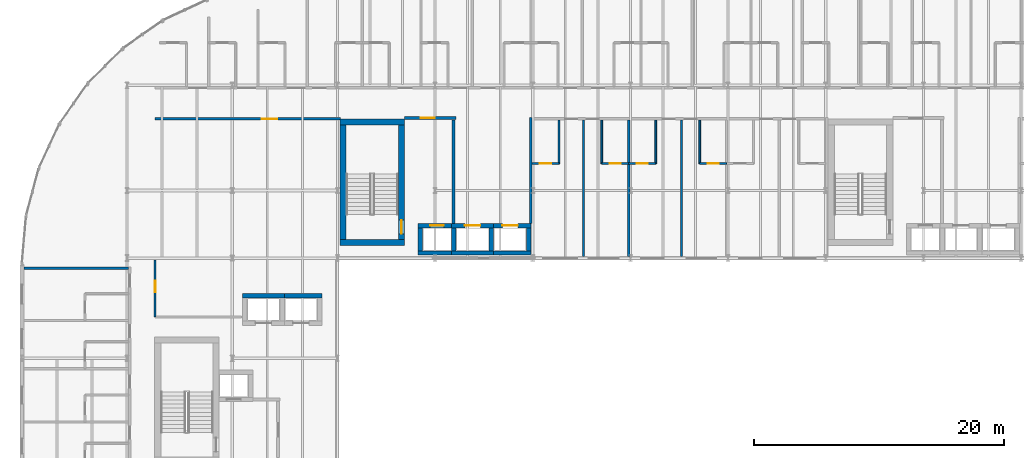
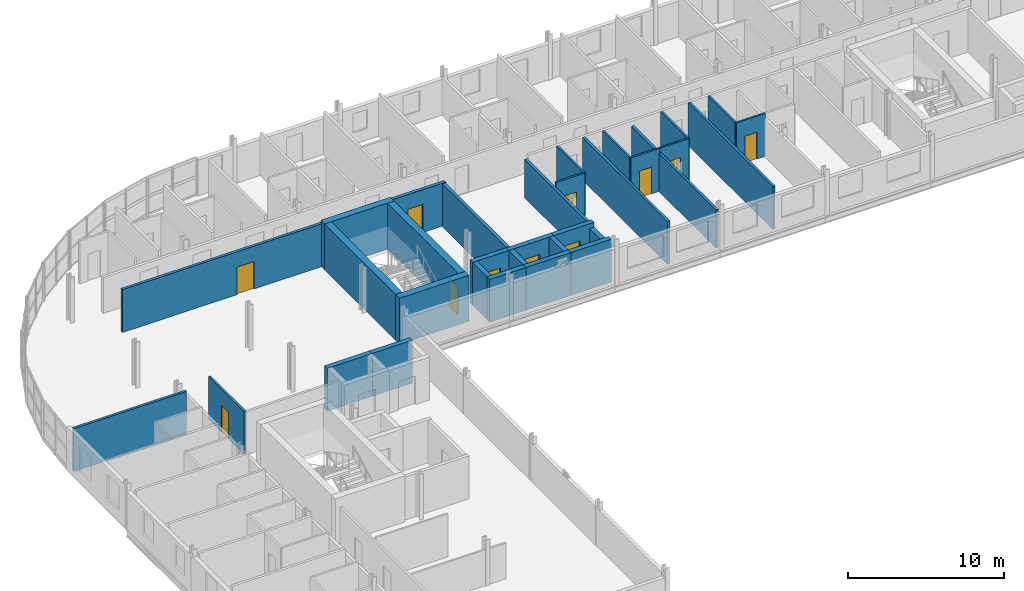
# One storey, part 22 of 36: 33 walls, 11 doors, 11 openings.
"""IFC4 building model written with IfcOpenShell, lengths in metres."""

from ifc_helpers import new_model, si_unit, direction, frame, frame_2d, origin, place, context, subcontext, project, spatial, rectangle, extrude, material, layer, layer_set, type_object, element, fill, save


model = new_model("IFC4")

# Units and contexts
model_context = context("Model", 3, precision=1e-05, world=origin(), true_north=direction((0.0, 1.0)))
body_context = subcontext(model_context, "Body", "Model", "MODEL_VIEW")
ifc_project = project(units=[si_unit("LENGTHUNIT", "METRE"), si_unit("AREAUNIT", "SQUARE_METRE"), si_unit("VOLUMEUNIT", "CUBIC_METRE"), si_unit("PLANEANGLEUNIT", "RADIAN"), si_unit("MASSUNIT", "GRAM", prefix="KILO")], contexts=[model_context])

# Site, building, storey
site_placement = place(None, origin())
site = spatial("IfcSite", under=ifc_project, at=site_placement, CompositionType="ELEMENT")
building_placement = place(site_placement, origin())
building = spatial("IfcBuilding", under=site, at=building_placement, Name="Sefraquen Railside Congress Hotel", CompositionType="ELEMENT")
storey_placement = place(building_placement, frame((0.0, 0.0, 28.199951171875)))
storey = spatial("IfcBuildingStorey", under=building, at=storey_placement, Name="L06", CompositionType="ELEMENT", Elevation=28.199951171875)

# Wall, opening, door
ifc_material_1 = material(Name="Concrete C50/60", Category="concrete")
ifc_layer_1 = layer(ifc_material_1, 0.35009765625)
ifc_layer_set_1 = layer_set([ifc_layer_1], Name="Concrete C50/60")
wall_type_1 = type_object("IfcWallType", Name="TW-CW-350", PredefinedType="SHEAR", material=ifc_layer_set_1)
wall_1_placement = place(storey_placement, frame((31.639892578125, 98.594970703125, 0.0), z_axis=(0.0, 0.0, 1.0), x_axis=(1.0, 0.0, 0.0)))
wall_1 = element("IfcWall", 1, at=wall_1_placement, inside=storey, type_object=wall_type_1, Name="Lift FL-02 shaft wall N L06", PredefinedType="SHEAR", context=body_context, shape_type="SweptSolid", body=[
    extrude(rectangle(XDim=2.690185546875, YDim=0.35009765625, at=frame_2d((1.34521484375, 0.0))), origin(), (0.0, 0.0, 1.0), 3.360107421875),
])
opening_1_placement = place(wall_1_placement, frame((0.969970703125, 0.0, 0.0)))
opening_1 = element("IfcOpeningElement", 2, at=opening_1_placement, cuts=wall_1, Name="Opening LD-01", PredefinedType="OPENING", context=body_context, shape_type="SweptSolid", body=[
    extrude(rectangle(XDim=1.10009765625, YDim=2.199951171875, at=frame_2d((0.550048828125, 1.10009765625))), frame((0.0, 0.18505859375, 0.0), z_axis=(0.0, -1.0, 0.0), x_axis=(1.0, 0.0, 0.0)), (0.0, 0.0, 1.0), 0.3701171875),
])
ifc_material_2 = material(Name="Brushed bronze stainless steel", Category="steel")
door_type_1 = type_object("IfcDoorType", Name="TD-LD-01", OperationType="NOTDEFINED", PredefinedType="DOOR", material=ifc_material_2)
door_1_placement = place(opening_1_placement, origin())
door_1 = element("IfcDoor", 3, at=door_1_placement, inside=storey, type_object=door_type_1, Name="Lift landing door FL-02 L06", OperationType="SLIDING_TO_LEFT", OverallHeight=2.199951171875, OverallWidth=1.10009765625, PredefinedType="DOOR", context=body_context, shape_type="SweptSolid", body=[
    extrude(rectangle(XDim=1.10009765625, YDim=2.199951171875, at=frame_2d((0.550048828125, 1.10009765625))), frame((0.0, 0.02490234375, 0.0), z_axis=(0.0, -1.0, 0.0), x_axis=(1.0, 0.0, 0.0)), (0.0, 0.0, 1.0), 0.050048828125),
])
fill(opening_1, door_1)

# Walls
wall_2_placement = place(storey_placement, frame((31.639892578125, 96.405029296875, 0.0), z_axis=(0.0, 0.0, 1.0), x_axis=(1.0, 0.0, 0.0)))
element("IfcWall", 4, at=wall_2_placement, inside=storey, type_object=wall_type_1, Name="Lift FL-02 shaft wall S L06", PredefinedType="SHEAR", context=body_context, shape_type="SweptSolid", body=[
    extrude(rectangle(XDim=2.690185546875, YDim=0.35009765625, at=frame_2d((1.34521484375, 0.0))), origin(), (0.0, 0.0, 1.0), 3.360107421875),
])
wall_3_placement = place(storey_placement, frame((31.81494140625, 96.580078125, 0.0), z_axis=(0.0, 0.0, 1.0), x_axis=(0.0, 1.0, 0.0)))
element("IfcWall", 5, at=wall_3_placement, inside=storey, type_object=wall_type_1, Name="Lift FL-02 shaft wall W L06", PredefinedType="SHEAR", context=body_context, shape_type="SweptSolid", body=[
    extrude(rectangle(XDim=1.83984375, YDim=0.35009765625, at=frame_2d((0.919921875, 0.0))), origin(), (0.0, 0.0, 1.0), 3.360107421875),
])
wall_4_placement = place(storey_placement, frame((17.6298828125, 92.9951171875, 0.0), z_axis=(0.0, 0.0, 1.0), x_axis=(1.0, 0.0, 0.0)))
element("IfcWall", 6, at=wall_4_placement, inside=storey, type_object=wall_type_1, Name="Lift PL-01 shaft wall N L06", PredefinedType="SHEAR", context=body_context, shape_type="SweptSolid", body=[
    extrude(rectangle(XDim=3.340087890625, YDim=0.35009765625, at=frame_2d((1.669921875, 0.0))), origin(), (0.0, 0.0, 1.0), 3.360107421875),
])
wall_5_placement = place(storey_placement, frame((20.969970703125, 92.9951171875, 0.0), z_axis=(0.0, 0.0, 1.0), x_axis=(1.0, 0.0, 0.0)))
element("IfcWall", 7, at=wall_5_placement, inside=storey, type_object=wall_type_1, Name="Lift PL-02 shaft wall N L06", PredefinedType="SHEAR", context=body_context, shape_type="SweptSolid", body=[
    extrude(rectangle(XDim=2.989990234375, YDim=0.35009765625, at=frame_2d((1.4951171875, 0.0))), origin(), (0.0, 0.0, 1.0), 3.360107421875),
])

# Wall, opening, door
wall_6_placement = place(storey_placement, frame((34.330078125, 98.594970703125, 0.0), z_axis=(0.0, 0.0, 1.0), x_axis=(1.0, 0.0, 0.0)))
wall_6 = element("IfcWall", 8, at=wall_6_placement, inside=storey, type_object=wall_type_1, Name="Lift PL-03 shaft wall N L06", PredefinedType="SHEAR", context=body_context, shape_type="SweptSolid", body=[
    extrude(rectangle(XDim=3.33984375, YDim=0.35009765625, at=frame_2d((1.669921875, 0.0))), origin(), (0.0, 0.0, 1.0), 3.360107421875),
])
opening_2_placement = place(wall_6_placement, frame((1.044921875, 0.0, 0.0)))
opening_2 = element("IfcOpeningElement", 9, at=opening_2_placement, cuts=wall_6, Name="Opening LD-02", PredefinedType="OPENING", context=body_context, shape_type="SweptSolid", body=[
    extrude(rectangle(XDim=1.25, YDim=2.25, at=frame_2d((0.625, 1.125))), frame((0.0, 0.18505859375, 0.0), z_axis=(0.0, -1.0, 0.0), x_axis=(1.0, 0.0, 0.0)), (0.0, 0.0, 1.0), 0.3701171875),
])
ifc_material_3 = material(Name="Brushed stainless steel", Category="steel")
door_type_2 = type_object("IfcDoorType", Name="TD-LD-02", OperationType="NOTDEFINED", PredefinedType="DOOR", material=ifc_material_3)
door_2_placement = place(opening_2_placement, origin())
door_2 = element("IfcDoor", 10, at=door_2_placement, inside=storey, type_object=door_type_2, Name="Lift landing door PL-03 L06", OperationType="SLIDING_TO_LEFT", OverallHeight=2.25, OverallWidth=1.25, PredefinedType="DOOR", context=body_context, shape_type="SweptSolid", body=[
    extrude(rectangle(XDim=1.25, YDim=2.25, at=frame_2d((0.625, 1.125))), frame((0.0, 0.02490234375, 0.0), z_axis=(0.0, -1.0, 0.0), x_axis=(1.0, 0.0, 0.0)), (0.0, 0.0, 1.0), 0.050048828125),
])
fill(opening_2, door_2)

# Walls
wall_7_placement = place(storey_placement, frame((34.330078125, 96.405029296875, 0.0), z_axis=(0.0, 0.0, 1.0), x_axis=(1.0, 0.0, 0.0)))
element("IfcWall", 11, at=wall_7_placement, inside=storey, type_object=wall_type_1, Name="Lift PL-03 shaft wall S L06", PredefinedType="SHEAR", context=body_context, shape_type="SweptSolid", body=[
    extrude(rectangle(XDim=3.33984375, YDim=0.35009765625, at=frame_2d((1.669921875, 0.0))), origin(), (0.0, 0.0, 1.0), 3.360107421875),
])
for number, where, z_axis, x_axis, name in (
    (12, (34.5048828125, 96.580078125, 0.0), (0.0, 0.0, 1.0), (0.0, 1.0, 0.0), "Lift PL-03 shaft wall W L06"),
    (13, (37.4951171875, 96.580078125, 0.0), (0.0, 0.0, 1.0), (0.0, 1.0, 0.0), "Lift PL-03 shaft wall E L06"),
):
    element("IfcWall", number, at=place(storey_placement, frame(where, z_axis=z_axis, x_axis=x_axis)), inside=storey, type_object=wall_type_1, Name=name, PredefinedType="SHEAR", context=body_context, shape_type="SweptSolid", body=[
        extrude(rectangle(XDim=1.83984375, YDim=0.35009765625, at=frame_2d((0.919921875, 0.0))), origin(), (0.0, 0.0, 1.0), 3.360107421875),
    ])

# Wall, opening, door
wall_8_placement = place(storey_placement, frame((37.669921875, 98.594970703125, 0.0), z_axis=(0.0, 0.0, 1.0), x_axis=(1.0, 0.0, 0.0)))
wall_8 = element("IfcWall", 14, at=wall_8_placement, inside=storey, type_object=wall_type_1, Name="Lift PL-04 shaft wall N L06", PredefinedType="SHEAR", context=body_context, shape_type="SweptSolid", body=[
    extrude(rectangle(XDim=2.989990234375, YDim=0.35009765625, at=frame_2d((1.4951171875, 0.0))), origin(), (0.0, 0.0, 1.0), 3.360107421875),
])
opening_3_placement = place(wall_8_placement, frame((0.695068359375, 0.0, 0.0)))
opening_3 = element("IfcOpeningElement", 15, at=opening_3_placement, cuts=wall_8, Name="Opening LD-02", PredefinedType="OPENING", context=body_context, shape_type="SweptSolid", body=[
    extrude(rectangle(XDim=1.25, YDim=2.25, at=frame_2d((0.625, 1.125))), frame((0.0, 0.18505859375, 0.0), z_axis=(0.0, -1.0, 0.0), x_axis=(1.0, 0.0, 0.0)), (0.0, 0.0, 1.0), 0.3701171875),
])
door_3_placement = place(opening_3_placement, origin())
door_3 = element("IfcDoor", 16, at=door_3_placement, inside=storey, type_object=door_type_2, Name="Lift landing door PL-04 L06", OperationType="SLIDING_TO_LEFT", OverallHeight=2.25, OverallWidth=1.25, PredefinedType="DOOR", context=body_context, shape_type="SweptSolid", body=[
    extrude(rectangle(XDim=1.25, YDim=2.25, at=frame_2d((0.625, 1.125))), frame((0.0, 0.02490234375, 0.0), z_axis=(0.0, -1.0, 0.0), x_axis=(1.0, 0.0, 0.0)), (0.0, 0.0, 1.0), 0.050048828125),
])
fill(opening_3, door_3)

# Walls
wall_9_placement = place(storey_placement, frame((37.669921875, 96.405029296875, 0.0), z_axis=(0.0, 0.0, 1.0), x_axis=(1.0, 0.0, 0.0)))
element("IfcWall", 17, at=wall_9_placement, inside=storey, type_object=wall_type_1, Name="Lift PL-04 shaft wall S L06", PredefinedType="SHEAR", context=body_context, shape_type="SweptSolid", body=[
    extrude(rectangle(XDim=2.989990234375, YDim=0.35009765625, at=frame_2d((1.4951171875, 0.0))), origin(), (0.0, 0.0, 1.0), 3.360107421875),
])
wall_10_placement = place(storey_placement, frame((40.485107421875, 96.580078125, 0.0), z_axis=(0.0, 0.0, 1.0), x_axis=(0.0, 1.0, 0.0)))
element("IfcWall", 18, at=wall_10_placement, inside=storey, type_object=wall_type_1, Name="Lift PL-04 shaft wall E L06", PredefinedType="SHEAR", context=body_context, shape_type="SweptSolid", body=[
    extrude(rectangle(XDim=1.83984375, YDim=0.35009765625, at=frame_2d((0.919921875, 0.0))), origin(), (0.0, 0.0, 1.0), 2.989990234375),
])
ifc_layer_2 = layer(ifc_material_1, 0.5)
ifc_layer_set_2 = layer_set([ifc_layer_2], Name="Concrete C50/60")
wall_type_2 = type_object("IfcWallType", Name="TW-CW-500", PredefinedType="SHEAR", material=ifc_layer_set_2)
for number, where, z_axis, x_axis, name in (
    (19, (25.39990234375, 106.862060546875, 0.0), (0.0, 0.0, 1.0), (1.0, 0.0, 0.0), "Core shear wall ST-H02 N L06"),
    (20, (25.39990234375, 97.25, 0.0), (0.0, 0.0, 1.0), (1.0, 0.0, 0.0), "Core shear wall ST-H02 S L06"),
):
    element("IfcWall", number, at=place(storey_placement, frame(where, z_axis=z_axis, x_axis=x_axis)), inside=storey, type_object=wall_type_2, Name=name, PredefinedType="SHEAR", context=body_context, shape_type="SweptSolid", body=[
        extrude(rectangle(XDim=5.16015625, YDim=0.5, at=frame_2d((2.580078125, 0.0))), origin(), (0.0, 0.0, 1.0), 3.60009765625),
    ])
wall_11_placement = place(storey_placement, frame((25.64990234375, 97.5, 0.0), z_axis=(0.0, 0.0, 1.0), x_axis=(0.0, 1.0, 0.0)))
element("IfcWall", 21, at=wall_11_placement, inside=storey, type_object=wall_type_2, Name="Core shear wall ST-H02 W L06", PredefinedType="SHEAR", context=body_context, shape_type="SweptSolid", body=[
    extrude(rectangle(XDim=9.112060546875, YDim=0.5, at=frame_2d((4.55615234375, 0.0))), origin(), (0.0, 0.0, 1.0), 3.60009765625),
])

# Wall, opening, door
wall_12_placement = place(storey_placement, frame((30.31005859375, 97.5, 0.0), z_axis=(0.0, 0.0, 1.0), x_axis=(0.0, 1.0, 0.0)))
wall_12 = element("IfcWall", 22, at=wall_12_placement, inside=storey, type_object=wall_type_2, Name="Core shear wall ST-H02 E L06", PredefinedType="SHEAR", context=body_context, shape_type="SweptSolid", body=[
    extrude(rectangle(XDim=9.112060546875, YDim=0.5, at=frame_2d((4.55615234375, 0.0))), origin(), (0.0, 0.0, 1.0), 3.60009765625),
])
opening_4_placement = place(wall_12_placement, frame((0.43994140625, 0.0, 0.0)))
opening_4 = element("IfcOpeningElement", 23, at=opening_4_placement, cuts=wall_12, Name="Opening FD-04", PredefinedType="OPENING", context=body_context, shape_type="SweptSolid", body=[
    extrude(rectangle(XDim=1.10009765625, YDim=2.199951171875, at=frame_2d((0.550048828125, 1.10009765625))), frame((0.0, 0.260009765625, 0.0), z_axis=(0.0, -1.0, 0.0), x_axis=(1.0, 0.0, 0.0)), (0.0, 0.0, 1.0), 0.52001953125),
])
ifc_material_4 = material(Name="Fire-rated steel", Category="steel")
door_type_3 = type_object("IfcDoorType", Name="TD-FD-04", OperationType="NOTDEFINED", PredefinedType="DOOR", material=ifc_material_4)
door_4_placement = place(opening_4_placement, origin())
door_4 = element("IfcDoor", 24, at=door_4_placement, inside=storey, type_object=door_type_3, Name="Pressurized stair ST-H02 fire door L06", OperationType="SINGLE_SWING_RIGHT", OverallHeight=2.199951171875, OverallWidth=1.10009765625, PredefinedType="DOOR", context=body_context, shape_type="SweptSolid", body=[
    extrude(rectangle(XDim=1.10009765625, YDim=2.199951171875, at=frame_2d((0.550048828125, 1.10009765625))), frame((0.0, 0.02490234375, 0.0), z_axis=(0.0, -1.0, 0.0), x_axis=(1.0, 0.0, 0.0)), (0.0, 0.0, 1.0), 0.050048828125),
])
fill(opening_4, door_4)

# Wall
ifc_material_5 = material(Name="Concrete C40/50", Category="concrete")
ifc_layer_3 = layer(ifc_material_5, 0.239990234375)
ifc_layer_set_3 = layer_set([ifc_layer_3], Name="Concrete C40/50")
wall_type_3 = type_object("IfcWallType", Name="TW-FW-240", PredefinedType="STANDARD", material=ifc_layer_set_3)
wall_13_placement = place(storey_placement, frame((34.47998046875, 98.780029296875, 0.0), z_axis=(0.0, 0.0, 1.0), x_axis=(0.0, 1.0, 0.0)))
element("IfcWall", 25, at=wall_13_placement, inside=storey, type_object=wall_type_3, Name="Firefighting Lift Lobby FFL-02 east fire wall L06", PredefinedType="STANDARD", context=body_context, shape_type="SweptSolid", body=[
    extrude(rectangle(XDim=8.239990234375, YDim=0.239990234375, at=frame_2d((4.1201171875, 0.0))), origin(), (0.0, 0.0, 1.0), 3.360107421875),
])

# Wall, opening, door
wall_14_placement = place(storey_placement, frame((30.56005859375, 107.199951171875, 0.0), z_axis=(0.0, 0.0, 1.0), x_axis=(1.0, 0.0, 0.0)))
wall_14 = element("IfcWall", 26, at=wall_14_placement, inside=storey, type_object=wall_type_3, Name="Firefighting Lift Lobby FFL-02 EI 120 separation wall L06", PredefinedType="STANDARD", context=body_context, shape_type="SweptSolid", body=[
    extrude(rectangle(XDim=4.099853515625, YDim=0.239990234375, at=frame_2d((2.0498046875, 0.0))), origin(), (0.0, 0.0, 1.0), 3.360107421875),
])
opening_5_placement = place(wall_14_placement, frame((1.300048828125, 0.0, 0.0)))
opening_5 = element("IfcOpeningElement", 27, at=opening_5_placement, cuts=wall_14, Name="Opening FD-04", PredefinedType="OPENING", context=body_context, shape_type="SweptSolid", body=[
    extrude(rectangle(XDim=1.10009765625, YDim=2.199951171875, at=frame_2d((0.550048828125, 1.10009765625))), frame((0.0, 0.1298828125, 0.0), z_axis=(0.0, -1.0, 0.0), x_axis=(1.0, 0.0, 0.0)), (0.0, 0.0, 1.0), 0.260009765625),
])
door_5_placement = place(opening_5_placement, origin())
door_5 = element("IfcDoor", 28, at=door_5_placement, inside=storey, type_object=door_type_3, Name="Firefighting Lift Lobby FFL-02 self-closing fire door L06", OperationType="SINGLE_SWING_RIGHT", OverallHeight=2.199951171875, OverallWidth=1.10009765625, PredefinedType="DOOR", context=body_context, shape_type="SweptSolid", body=[
    extrude(rectangle(XDim=1.10009765625, YDim=2.199951171875, at=frame_2d((0.550048828125, 1.10009765625))), frame((0.0, 0.02490234375, 0.0), z_axis=(0.0, -1.0, 0.0), x_axis=(1.0, 0.0, 0.0)), (0.0, 0.0, 1.0), 0.050048828125),
])
fill(opening_5, door_5)

# Wall
ifc_material_6 = material(Name="Moisture-resistant gypsum board", Category="gypsum")
ifc_layer_4 = layer(ifc_material_6, 0.139892578125)
ifc_layer_set_4 = layer_set([ifc_layer_4], Name="Moisture-resistant gypsum board")
wall_type_4 = type_object("IfcWallType", Name="TW-PW-140", PredefinedType="PARTITIONING", material=ifc_layer_set_4)
wall_15_placement = place(storey_placement, frame((42.89990234375, 103.550048828125, 0.0), z_axis=(0.0, 0.0, 1.0), x_axis=(0.0, 1.0, 0.0)))
element("IfcWall", 29, at=wall_15_placement, inside=storey, type_object=wall_type_4, Name="En-suite bathroom east wall RM-023", PredefinedType="PARTITIONING", context=body_context, shape_type="SweptSolid", body=[
    extrude(rectangle(XDim=3.469970703125, YDim=0.139892578125, at=frame_2d((1.73486328125, 0.0))), origin(), (0.0, 0.0, 1.0), 3.360107421875),
])

# Wall, opening, door
wall_16_placement = place(storey_placement, frame((40.75, 103.550048828125, 0.0), z_axis=(0.0, 0.0, 1.0), x_axis=(1.0, 0.0, 0.0)))
wall_16 = element("IfcWall", 30, at=wall_16_placement, inside=storey, type_object=wall_type_4, Name="En-suite bathroom south wall RM-023", PredefinedType="PARTITIONING", context=body_context, shape_type="SweptSolid", body=[
    extrude(rectangle(XDim=2.14990234375, YDim=0.139892578125, at=frame_2d((1.074951171875, 0.0))), origin(), (0.0, 0.0, 1.0), 3.360107421875),
])
opening_6_placement = place(wall_16_placement, frame((0.625, 0.0, 0.0)))
opening_6 = element("IfcOpeningElement", 31, at=opening_6_placement, cuts=wall_16, Name="Opening ID-02", PredefinedType="OPENING", context=body_context, shape_type="SweptSolid", body=[
    extrude(rectangle(XDim=0.89990234375, YDim=2.10009765625, at=frame_2d((0.449951171875, 1.050048828125))), frame((0.0, 0.079833984375, 0.0), z_axis=(0.0, -1.0, 0.0), x_axis=(1.0, 0.0, 0.0)), (0.0, 0.0, 1.0), 0.159912109375),
])
ifc_material_7 = material(Name="Lacquered cedar joinery", Category="wood")
door_type_4 = type_object("IfcDoorType", Name="TD-ID-02", OperationType="NOTDEFINED", PredefinedType="DOOR", material=ifc_material_7)
door_6_placement = place(opening_6_placement, frame((0.89990234375, 0.0, 0.0), z_axis=(0.0, 0.0, 1.0), x_axis=(-1.0, 0.0, 0.0)))
door_6 = element("IfcDoor", 32, at=door_6_placement, inside=storey, type_object=door_type_4, Name="En-suite bathroom door RM-023", OperationType="SINGLE_SWING_LEFT", OverallHeight=2.10009765625, OverallWidth=0.89990234375, PredefinedType="DOOR", context=body_context, shape_type="SweptSolid", body=[
    extrude(rectangle(XDim=0.89990234375, YDim=2.10009765625, at=frame_2d((0.449951171875, 1.050048828125))), frame((0.0, 0.02490234375, 0.0), z_axis=(0.0, -1.0, 0.0), x_axis=(1.0, 0.0, 0.0)), (0.0, 0.0, 1.0), 0.050048828125),
])
fill(opening_6, door_6)

# Wall
wall_17_placement = place(storey_placement, frame((46.31689453125, 103.550048828125, 0.0), z_axis=(0.0, 0.0, 1.0), x_axis=(0.0, 1.0, 0.0)))
element("IfcWall", 33, at=wall_17_placement, inside=storey, type_object=wall_type_4, Name="En-suite bathroom west wall RM-024", PredefinedType="PARTITIONING", context=body_context, shape_type="SweptSolid", body=[
    extrude(rectangle(XDim=3.469970703125, YDim=0.139892578125, at=frame_2d((1.73486328125, 0.0))), origin(), (0.0, 0.0, 1.0), 3.360107421875),
])

# Wall, opening, door
wall_18_placement = place(storey_placement, frame((46.31689453125, 103.550048828125, 0.0), z_axis=(0.0, 0.0, 1.0), x_axis=(1.0, 0.0, 0.0)))
wall_18 = element("IfcWall", 34, at=wall_18_placement, inside=storey, type_object=wall_type_4, Name="En-suite bathroom south wall RM-024", PredefinedType="PARTITIONING", context=body_context, shape_type="SweptSolid", body=[
    extrude(rectangle(XDim=2.150146484375, YDim=0.139892578125, at=frame_2d((1.0751953125, 0.0))), origin(), (0.0, 0.0, 1.0), 3.360107421875),
])
opening_7_placement = place(wall_18_placement, frame((0.625, 0.0, 0.0)))
opening_7 = element("IfcOpeningElement", 35, at=opening_7_placement, cuts=wall_18, Name="Opening ID-02", PredefinedType="OPENING", context=body_context, shape_type="SweptSolid", body=[
    extrude(rectangle(XDim=0.89990234375, YDim=2.10009765625, at=frame_2d((0.449951171875, 1.050048828125))), frame((0.0, 0.079833984375, 0.0), z_axis=(0.0, -1.0, 0.0), x_axis=(1.0, 0.0, 0.0)), (0.0, 0.0, 1.0), 0.159912109375),
])
door_7_placement = place(opening_7_placement, frame((0.89990234375, 0.0, 0.0), z_axis=(0.0, 0.0, 1.0), x_axis=(-1.0, 0.0, 0.0)))
door_7 = element("IfcDoor", 36, at=door_7_placement, inside=storey, type_object=door_type_4, Name="En-suite bathroom door RM-024", OperationType="SINGLE_SWING_LEFT", OverallHeight=2.10009765625, OverallWidth=0.89990234375, PredefinedType="DOOR", context=body_context, shape_type="SweptSolid", body=[
    extrude(rectangle(XDim=0.89990234375, YDim=2.10009765625, at=frame_2d((0.449951171875, 1.050048828125))), frame((0.0, 0.02490234375, 0.0), z_axis=(0.0, -1.0, 0.0), x_axis=(1.0, 0.0, 0.0)), (0.0, 0.0, 1.0), 0.050048828125),
])
fill(opening_7, door_7)

# Wall
wall_19_placement = place(storey_placement, frame((50.616943359375, 103.550048828125, 0.0), z_axis=(0.0, 0.0, 1.0), x_axis=(0.0, 1.0, 0.0)))
element("IfcWall", 37, at=wall_19_placement, inside=storey, type_object=wall_type_4, Name="En-suite bathroom east wall RM-025", PredefinedType="PARTITIONING", context=body_context, shape_type="SweptSolid", body=[
    extrude(rectangle(XDim=3.469970703125, YDim=0.139892578125, at=frame_2d((1.73486328125, 0.0))), origin(), (0.0, 0.0, 1.0), 3.360107421875),
])

# Wall, opening, door
wall_20_placement = place(storey_placement, frame((48.467041015625, 103.550048828125, 0.0), z_axis=(0.0, 0.0, 1.0), x_axis=(1.0, 0.0, 0.0)))
wall_20 = element("IfcWall", 38, at=wall_20_placement, inside=storey, type_object=wall_type_4, Name="En-suite bathroom south wall RM-025", PredefinedType="PARTITIONING", context=body_context, shape_type="SweptSolid", body=[
    extrude(rectangle(XDim=2.14990234375, YDim=0.139892578125, at=frame_2d((1.074951171875, 0.0))), origin(), (0.0, 0.0, 1.0), 3.360107421875),
])
opening_8_placement = place(wall_20_placement, frame((0.625, 0.0, 0.0)))
opening_8 = element("IfcOpeningElement", 39, at=opening_8_placement, cuts=wall_20, Name="Opening ID-02", PredefinedType="OPENING", context=body_context, shape_type="SweptSolid", body=[
    extrude(rectangle(XDim=0.89990234375, YDim=2.10009765625, at=frame_2d((0.449951171875, 1.050048828125))), frame((0.0, 0.079833984375, 0.0), z_axis=(0.0, -1.0, 0.0), x_axis=(1.0, 0.0, 0.0)), (0.0, 0.0, 1.0), 0.159912109375),
])
door_8_placement = place(opening_8_placement, frame((0.89990234375, 0.0, 0.0), z_axis=(0.0, 0.0, 1.0), x_axis=(-1.0, 0.0, 0.0)))
door_8 = element("IfcDoor", 40, at=door_8_placement, inside=storey, type_object=door_type_4, Name="En-suite bathroom door RM-025", OperationType="SINGLE_SWING_LEFT", OverallHeight=2.10009765625, OverallWidth=0.89990234375, PredefinedType="DOOR", context=body_context, shape_type="SweptSolid", body=[
    extrude(rectangle(XDim=0.89990234375, YDim=2.10009765625, at=frame_2d((0.449951171875, 1.050048828125))), frame((0.0, 0.02490234375, 0.0), z_axis=(0.0, -1.0, 0.0), x_axis=(1.0, 0.0, 0.0)), (0.0, 0.0, 1.0), 0.050048828125),
])
fill(opening_8, door_8)

# Wall
wall_21_placement = place(storey_placement, frame((54.133056640625, 103.550048828125, 0.0), z_axis=(0.0, 0.0, 1.0), x_axis=(0.0, 1.0, 0.0)))
element("IfcWall", 41, at=wall_21_placement, inside=storey, type_object=wall_type_4, Name="En-suite bathroom west wall RM-026", PredefinedType="PARTITIONING", context=body_context, shape_type="SweptSolid", body=[
    extrude(rectangle(XDim=3.469970703125, YDim=0.139892578125, at=frame_2d((1.73486328125, 0.0))), origin(), (0.0, 0.0, 1.0), 3.360107421875),
])

# Wall, opening, door
wall_22_placement = place(storey_placement, frame((54.133056640625, 103.550048828125, 0.0), z_axis=(0.0, 0.0, 1.0), x_axis=(1.0, 0.0, 0.0)))
wall_22 = element("IfcWall", 42, at=wall_22_placement, inside=storey, type_object=wall_type_4, Name="En-suite bathroom south wall RM-026", PredefinedType="PARTITIONING", context=body_context, shape_type="SweptSolid", body=[
    extrude(rectangle(XDim=2.14990234375, YDim=0.139892578125, at=frame_2d((1.074951171875, 0.0))), origin(), (0.0, 0.0, 1.0), 3.360107421875),
])
opening_9_placement = place(wall_22_placement, frame((0.625, 0.0, 0.0)))
opening_9 = element("IfcOpeningElement", 43, at=opening_9_placement, cuts=wall_22, Name="Opening ID-02", PredefinedType="OPENING", context=body_context, shape_type="SweptSolid", body=[
    extrude(rectangle(XDim=0.89990234375, YDim=2.10009765625, at=frame_2d((0.449951171875, 1.050048828125))), frame((0.0, 0.079833984375, 0.0), z_axis=(0.0, -1.0, 0.0), x_axis=(1.0, 0.0, 0.0)), (0.0, 0.0, 1.0), 0.159912109375),
])
door_9_placement = place(opening_9_placement, frame((0.89990234375, 0.0, 0.0), z_axis=(0.0, 0.0, 1.0), x_axis=(-1.0, 0.0, 0.0)))
door_9 = element("IfcDoor", 44, at=door_9_placement, inside=storey, type_object=door_type_4, Name="En-suite bathroom door RM-026", OperationType="SINGLE_SWING_LEFT", OverallHeight=2.10009765625, OverallWidth=0.89990234375, PredefinedType="DOOR", context=body_context, shape_type="SweptSolid", body=[
    extrude(rectangle(XDim=0.89990234375, YDim=2.10009765625, at=frame_2d((0.449951171875, 1.050048828125))), frame((0.0, 0.02490234375, 0.0), z_axis=(0.0, -1.0, 0.0), x_axis=(1.0, 0.0, 0.0)), (0.0, 0.0, 1.0), 0.050048828125),
])
fill(opening_9, door_9)

ifc_layer_5 = layer(ifc_material_6, 0.159912109375)
ifc_layer_set_5 = layer_set([ifc_layer_5], Name="Moisture-resistant gypsum board")
wall_type_5 = type_object("IfcWallType", Name="TW-PW-160", PredefinedType="PARTITIONING", material=ifc_layer_set_5)
wall_23_placement = place(storey_placement, frame((10.64990234375, 91.280029296875, 0.0), z_axis=(0.0, 0.0, 1.0), x_axis=(0.0, 1.0, 0.0)))
wall_23 = element("IfcWall", 45, at=wall_23_placement, inside=storey, type_object=wall_type_5, Name="Hotel L06 west-return corridor E2 partition", PredefinedType="PARTITIONING", context=body_context, shape_type="SweptSolid", body=[
    extrude(rectangle(XDim=4.580078125, YDim=0.159912109375, at=frame_2d((2.2900390625, 0.0))), origin(), (0.0, 0.0, 1.0), 3.360107421875),
])
opening_10_placement = place(wall_23_placement, frame((2.0, 0.0, 0.0)))
opening_10 = element("IfcOpeningElement", 46, at=opening_10_placement, cuts=wall_23, Name="Opening ID-02", PredefinedType="OPENING", context=body_context, shape_type="SweptSolid", body=[
    extrude(rectangle(XDim=0.89990234375, YDim=2.10009765625, at=frame_2d((0.449951171875, 1.050048828125))), frame((0.0, 0.08984375, 0.0), z_axis=(0.0, -1.0, 0.0), x_axis=(1.0, 0.0, 0.0)), (0.0, 0.0, 1.0), 0.179931640625),
])
door_10_placement = place(opening_10_placement, origin())
door_10 = element("IfcDoor", 47, at=door_10_placement, inside=storey, type_object=door_type_4, Name="Hotel floor Staff WC door L06", OperationType="SINGLE_SWING_RIGHT", OverallHeight=2.10009765625, OverallWidth=0.89990234375, PredefinedType="DOOR", context=body_context, shape_type="SweptSolid", body=[
    extrude(rectangle(XDim=0.89990234375, YDim=2.10009765625, at=frame_2d((0.449951171875, 1.050048828125))), frame((0.0, 0.02490234375, 0.0), z_axis=(0.0, -1.0, 0.0), x_axis=(1.0, 0.0, 0.0)), (0.0, 0.0, 1.0), 0.050048828125),
])
fill(opening_10, door_10)

# Walls
ifc_material_8 = material(Name="Acoustic gypsum board on metal stud", Category="gypsum")
ifc_layer_6 = layer(ifc_material_8, 0.179931640625)
ifc_layer_set_6 = layer_set([ifc_layer_6], Name="Acoustic gypsum board on metal stud")
wall_type_6 = type_object("IfcWallType", Name="TW-PW-180", PredefinedType="PARTITIONING", material=ifc_layer_set_6)
wall_24_placement = place(storey_placement, frame((44.85791015625, 96.139892578125, 0.0), z_axis=(0.0, 0.0, 1.0), x_axis=(0.0, 1.0, 0.0)))
element("IfcWall", 48, at=wall_24_placement, inside=storey, type_object=wall_type_6, Name="South guest room demising wall RM-023", PredefinedType="PARTITIONING", context=body_context, shape_type="SweptSolid", body=[
    extrude(rectangle(XDim=10.880126953125, YDim=0.179931640625, at=frame_2d((5.43994140625, 0.0))), origin(), (0.0, 0.0, 1.0), 3.360107421875),
])
wall_25_placement = place(storey_placement, frame((48.467041015625, 96.139892578125, 0.0), z_axis=(0.0, 0.0, 1.0), x_axis=(0.0, 1.0, 0.0)))
element("IfcWall", 49, at=wall_25_placement, inside=storey, type_object=wall_type_6, Name="South guest room demising wall RM-024", PredefinedType="PARTITIONING", context=body_context, shape_type="SweptSolid", body=[
    extrude(rectangle(XDim=10.880126953125, YDim=0.179931640625, at=frame_2d((5.43994140625, 0.0))), origin(), (0.0, 0.0, 1.0), 2.989990234375),
])
wall_26_placement = place(storey_placement, frame((52.675048828125, 96.139892578125, 0.0), z_axis=(0.0, 0.0, 1.0), x_axis=(0.0, 1.0, 0.0)))
element("IfcWall", 50, at=wall_26_placement, inside=storey, type_object=wall_type_6, Name="South guest room demising wall RM-025", PredefinedType="PARTITIONING", context=body_context, shape_type="SweptSolid", body=[
    extrude(rectangle(XDim=10.880126953125, YDim=0.179931640625, at=frame_2d((5.43994140625, 0.0))), origin(), (0.0, 0.0, 1.0), 3.360107421875),
])
wall_27_placement = place(storey_placement, frame((0.14990234375, 95.199951171875, 0.0), z_axis=(0.0, 0.0, 1.0), x_axis=(1.0, 0.0, 0.0)))
element("IfcWall", 51, at=wall_27_placement, inside=storey, type_object=wall_type_6, Name="West return guest room demising wall RM-046", PredefinedType="PARTITIONING", context=body_context, shape_type="SweptSolid", body=[
    extrude(rectangle(XDim=8.3701171875, YDim=0.179931640625, at=frame_2d((4.18505859375, 0.0))), origin(), (0.0, 0.0, 1.0), 3.360107421875),
])

# Wall, opening, door
ifc_layer_7 = layer(ifc_material_8, 0.199951171875)
ifc_layer_set_7 = layer_set([ifc_layer_7], Name="Acoustic gypsum board on metal stud")
wall_type_7 = type_object("IfcWallType", Name="TW-PW-200", PredefinedType="PARTITIONING", material=ifc_layer_set_7)
wall_28_placement = place(storey_placement, frame((10.64990234375, 107.1201171875, 0.0), z_axis=(0.0, 0.0, 1.0), x_axis=(1.0, 0.0, 0.0)))
wall_28 = element("IfcWall", 52, at=wall_28_placement, inside=storey, type_object=wall_type_7, Name="Hotel L06 south-west corridor fire-rated partition", PredefinedType="PARTITIONING", context=body_context, shape_type="SweptSolid", body=[
    extrude(rectangle(XDim=14.800048828125, YDim=0.199951171875, at=frame_2d((7.39990234375, 0.0))), origin(), (0.0, 0.0, 1.0), 3.360107421875),
])
opening_11_placement = place(wall_28_placement, frame((8.5, 0.0, 0.0)))
opening_11 = element("IfcOpeningElement", 53, at=opening_11_placement, cuts=wall_28, Name="Opening ID-05", PredefinedType="OPENING", context=body_context, shape_type="SweptSolid", body=[
    extrude(rectangle(XDim=1.25, YDim=2.14990234375, at=frame_2d((0.625, 1.074951171875))), frame((0.0, 0.10986328125, 0.0), z_axis=(0.0, -1.0, 0.0), x_axis=(1.0, 0.0, 0.0)), (0.0, 0.0, 1.0), 0.219970703125),
])
ifc_material_9 = material(Name="Brushed steel", Category="steel")
door_type_5 = type_object("IfcDoorType", Name="TD-ID-05", OperationType="NOTDEFINED", PredefinedType="DOOR", material=ifc_material_9)
door_11_placement = place(opening_11_placement, frame((1.25, 0.0, 0.0), z_axis=(0.0, 0.0, 1.0), x_axis=(-1.0, 0.0, 0.0)))
door_11 = element("IfcDoor", 54, at=door_11_placement, inside=storey, type_object=door_type_5, Name="Valet pantry service door L06", OperationType="SINGLE_SWING_LEFT", OverallHeight=2.14990234375, OverallWidth=1.25, PredefinedType="DOOR", context=body_context, shape_type="SweptSolid", body=[
    extrude(rectangle(XDim=1.25, YDim=2.14990234375, at=frame_2d((0.625, 1.074951171875))), frame((0.0, 0.02490234375, 0.0), z_axis=(0.0, -1.0, 0.0), x_axis=(1.0, 0.0, 0.0)), (0.0, 0.0, 1.0), 0.050048828125),
])
fill(opening_11, door_11)

# Wall
wall_29_placement = place(storey_placement, frame((40.659912109375, 98.77001953125, 0.0), z_axis=(0.0, 0.0, 1.0), x_axis=(0.0, 1.0, 0.0)))
element("IfcWall", 55, at=wall_29_placement, inside=storey, type_object=wall_type_7, Name="Hotel L06 south-mid west end fire-rated partition", PredefinedType="PARTITIONING", context=body_context, shape_type="SweptSolid", body=[
    extrude(rectangle(XDim=8.449951171875, YDim=0.199951171875, at=frame_2d((4.22509765625, 0.0))), origin(), (0.0, 0.0, 1.0), 2.989990234375),
])

save(model, "model.ifc")
